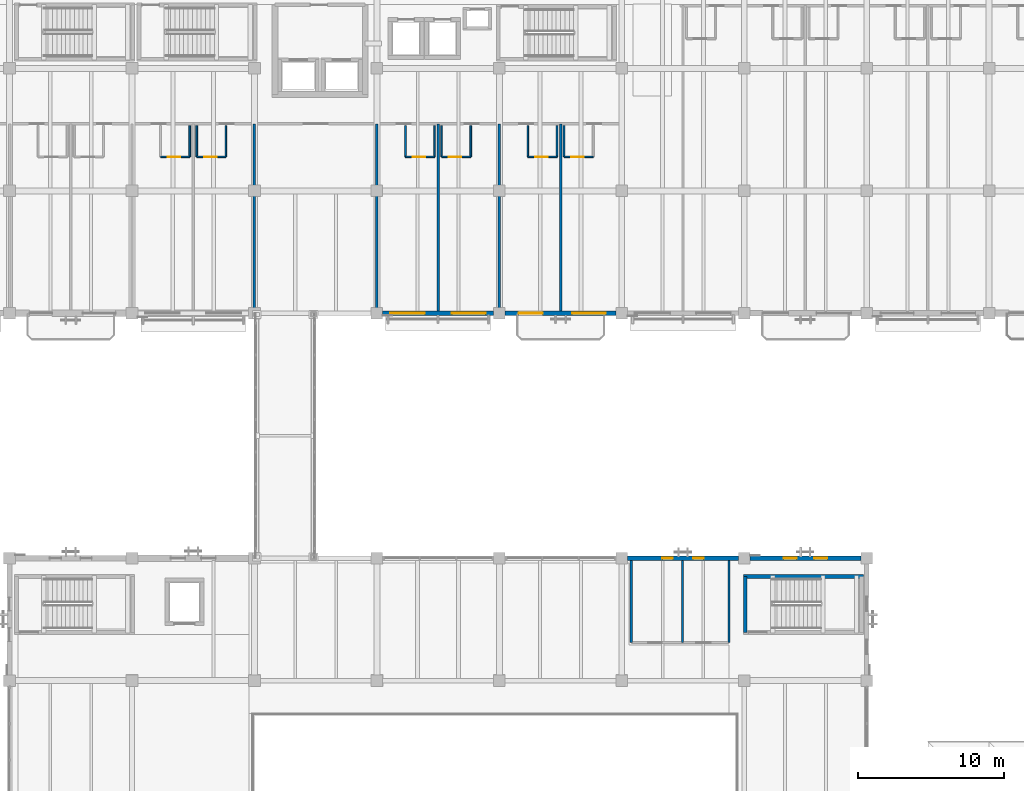
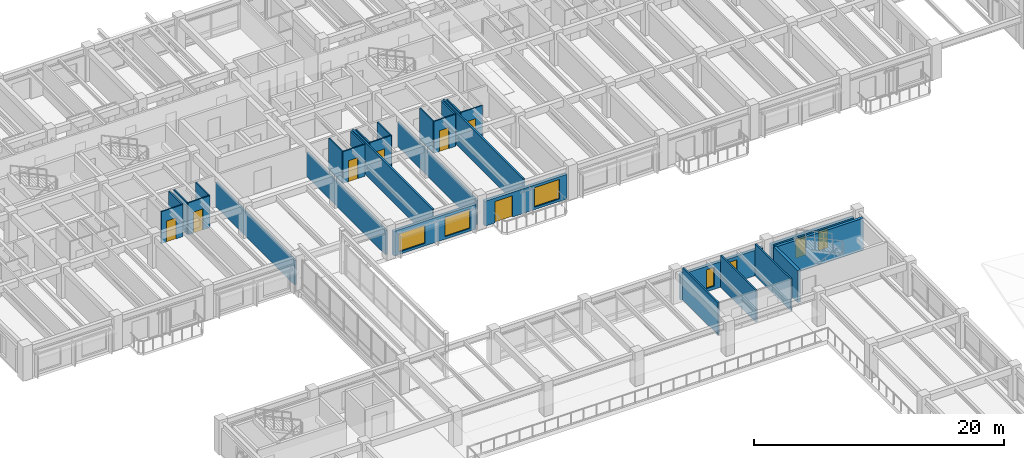
# One storey, part 84 of 123: 30 walls, 7 doors, 7 windows, 14 openings.
"""IFC4 building model written with IfcOpenShell, lengths in metres."""

from ifc_helpers import new_model, si_unit, direction, frame, frame_2d, origin, place, context, subcontext, project, spatial, rectangle, extrude, material, layer, layer_set, type_object, element, fill, save


model = new_model("IFC4")

# Units and contexts
model_context = context("Model", 3, precision=1e-05, world=origin(), true_north=direction((0.0, 1.0)))
body_context = subcontext(model_context, "Body", "Model", "MODEL_VIEW")
ifc_project = project(units=[si_unit("LENGTHUNIT", "METRE"), si_unit("AREAUNIT", "SQUARE_METRE"), si_unit("VOLUMEUNIT", "CUBIC_METRE"), si_unit("PLANEANGLEUNIT", "RADIAN"), si_unit("MASSUNIT", "GRAM", prefix="KILO")], contexts=[model_context])

# Site, building, storey
site_placement = place(None, origin())
site = spatial("IfcSite", under=ifc_project, at=site_placement, CompositionType="ELEMENT")
building_placement = place(site_placement, origin())
building = spatial("IfcBuilding", under=site, at=building_placement, Name="Cumbredor Promenade Congress Hotel", CompositionType="ELEMENT")
storey_placement = place(building_placement, frame((0.0, 0.0, 11.760009765625)))
storey = spatial("IfcBuildingStorey", under=building, at=storey_placement, Name="L03", CompositionType="ELEMENT", Elevation=11.760009765625)

# Wall, opening, door
ifc_material_1 = material(Name="Moisture-resistant gypsum board on steel studs", Category="steel")
ifc_layer_1 = layer(ifc_material_1, 0.114990234375, Name="Moisture-resistant gypsum board on steel studs", Category="steel")
ifc_layer_set_1 = layer_set([ifc_layer_1], Name="Moisture-resistant gypsum board on steel studs")
wall_type_1 = type_object("IfcWallType", Name="WL-BATH-115", PredefinedType="PARTITIONING", material=ifc_layer_set_1)
wall_1_placement = place(storey_placement, frame((18.760009765625, 94.72998046875, 0.0), z_axis=(0.0, 0.0, 1.0), x_axis=(1.0, 0.0, 0.0)))
wall_1 = element("IfcWall", 1, at=wall_1_placement, inside=storey, type_object=wall_type_1, Name="L03 Interior Partition W-L03-BH-0375", PredefinedType="PARTITIONING", context=body_context, shape_type="SweptSolid", body=[
    extrude(rectangle(XDim=2.0, YDim=0.114990234375, at=frame_2d((1.0, 0.0))), origin(), (0.0, 0.0, 1.0), 3.119873046875),
])
opening_1_placement = place(wall_1_placement, frame((0.5, 0.0, 0.0)))
opening_1 = element("IfcOpeningElement", 2, at=opening_1_placement, cuts=wall_1, Name="Opening ID-01", PredefinedType="OPENING", context=body_context, shape_type="SweptSolid", body=[
    extrude(rectangle(XDim=0.860107421875, YDim=2.050048828125, at=frame_2d((0.43017578125, 1.02490234375))), frame((0.0, 0.0673828125, 0.0), z_axis=(0.0, -1.0, 0.0), x_axis=(1.0, 0.0, 0.0)), (0.0, 0.0, 1.0), 0.135009765625),
])
ifc_material_2 = material(Name="Kiln-dried tropical hardwood", Category="wood")
door_type_1 = type_object("IfcDoorType", Name="DR-BATH-860", OperationType="NOTDEFINED", PredefinedType="DOOR", material=ifc_material_2)
door_1_placement = place(opening_1_placement, origin())
door_1 = element("IfcDoor", 3, at=door_1_placement, inside=storey, type_object=door_type_1, Name="L03 Interior Door W-L03-BH-0375-01", OperationType="SINGLE_SWING_LEFT", OverallHeight=2.050048828125, OverallWidth=0.860107421875, PredefinedType="DOOR", context=body_context, shape_type="SweptSolid", body=[
    extrude(rectangle(XDim=0.860107421875, YDim=2.050048828125, at=frame_2d((0.43017578125, 1.02490234375))), frame((0.0, 0.02490234375, 0.0), z_axis=(0.0, -1.0, 0.0), x_axis=(1.0, 0.0, 0.0)), (0.0, 0.0, 1.0), 0.050048828125),
])
fill(opening_1, door_1)

# Wall
wall_2_placement = place(storey_placement, frame((20.760009765625, 94.72998046875, 0.0), z_axis=(0.0, 0.0, 1.0), x_axis=(0.0, 1.0, 0.0)))
element("IfcWall", 4, at=wall_2_placement, inside=storey, type_object=wall_type_1, Name="L03 Interior Partition W-L03-BV2-0375", PredefinedType="PARTITIONING", context=body_context, shape_type="SweptSolid", body=[
    extrude(rectangle(XDim=2.14990234375, YDim=0.114990234375, at=frame_2d((1.074951171875, 0.0))), origin(), (0.0, 0.0, 1.0), 3.119873046875),
])

# Wall, opening, door
wall_3_placement = place(storey_placement, frame((21.239990234375, 94.72998046875, 0.0), z_axis=(0.0, 0.0, 1.0), x_axis=(1.0, 0.0, 0.0)))
wall_3 = element("IfcWall", 5, at=wall_3_placement, inside=storey, type_object=wall_type_1, Name="L03 Interior Partition W-L03-BH-0376", PredefinedType="PARTITIONING", context=body_context, shape_type="SweptSolid", body=[
    extrude(rectangle(XDim=2.0, YDim=0.114990234375, at=frame_2d((1.0, 0.0))), origin(), (0.0, 0.0, 1.0), 3.119873046875),
])
opening_2_placement = place(wall_3_placement, frame((0.5, 0.0, 0.0)))
opening_2 = element("IfcOpeningElement", 6, at=opening_2_placement, cuts=wall_3, Name="Opening ID-01", PredefinedType="OPENING", context=body_context, shape_type="SweptSolid", body=[
    extrude(rectangle(XDim=0.860107421875, YDim=2.050048828125, at=frame_2d((0.43017578125, 1.02490234375))), frame((0.0, 0.0673828125, 0.0), z_axis=(0.0, -1.0, 0.0), x_axis=(1.0, 0.0, 0.0)), (0.0, 0.0, 1.0), 0.135009765625),
])
door_2_placement = place(opening_2_placement, origin())
door_2 = element("IfcDoor", 7, at=door_2_placement, inside=storey, type_object=door_type_1, Name="L03 Interior Door W-L03-BH-0376-01", OperationType="SINGLE_SWING_RIGHT", OverallHeight=2.050048828125, OverallWidth=0.860107421875, PredefinedType="DOOR", context=body_context, shape_type="SweptSolid", body=[
    extrude(rectangle(XDim=0.860107421875, YDim=2.050048828125, at=frame_2d((0.43017578125, 1.02490234375))), frame((0.0, 0.02490234375, 0.0), z_axis=(0.0, -1.0, 0.0), x_axis=(1.0, 0.0, 0.0)), (0.0, 0.0, 1.0), 0.050048828125),
])
fill(opening_2, door_2)

# Walls
for number, where, z_axis, x_axis, name in (
    (8, (21.239990234375, 94.72998046875, 0.0), (0.0, 0.0, 1.0), (0.0, 1.0, 0.0), "L03 Interior Partition W-L03-BV1-0376"),
    (9, (23.239990234375, 94.72998046875, 0.0), (0.0, 0.0, 1.0), (0.0, 1.0, 0.0), "L03 Interior Partition W-L03-BV2-0376"),
):
    element("IfcWall", number, at=place(storey_placement, frame(where, z_axis=z_axis, x_axis=x_axis)), inside=storey, type_object=wall_type_1, Name=name, PredefinedType="PARTITIONING", context=body_context, shape_type="SweptSolid", body=[
        extrude(rectangle(XDim=2.14990234375, YDim=0.114990234375, at=frame_2d((1.074951171875, 0.0))), origin(), (0.0, 0.0, 1.0), 3.119873046875),
    ])

# Wall, opening, door
wall_4_placement = place(storey_placement, frame((35.56005859375, 94.72998046875, 0.0), z_axis=(0.0, 0.0, 1.0), x_axis=(1.0, 0.0, 0.0)))
wall_4 = element("IfcWall", 10, at=wall_4_placement, inside=storey, type_object=wall_type_1, Name="L03 Interior Partition W-L03-BH-0379", PredefinedType="PARTITIONING", context=body_context, shape_type="SweptSolid", body=[
    extrude(rectangle(XDim=2.0, YDim=0.114990234375, at=frame_2d((1.0, 0.0))), origin(), (0.0, 0.0, 1.0), 3.119873046875),
])
opening_3_placement = place(wall_4_placement, frame((0.5, 0.0, 0.0)))
opening_3 = element("IfcOpeningElement", 11, at=opening_3_placement, cuts=wall_4, Name="Opening ID-01", PredefinedType="OPENING", context=body_context, shape_type="SweptSolid", body=[
    extrude(rectangle(XDim=0.860107421875, YDim=2.050048828125, at=frame_2d((0.43017578125, 1.02490234375))), frame((0.0, 0.0673828125, 0.0), z_axis=(0.0, -1.0, 0.0), x_axis=(1.0, 0.0, 0.0)), (0.0, 0.0, 1.0), 0.135009765625),
])
door_3_placement = place(opening_3_placement, origin())
door_3 = element("IfcDoor", 12, at=door_3_placement, inside=storey, type_object=door_type_1, Name="L03 Interior Door W-L03-BH-0379-01", OperationType="SINGLE_SWING_LEFT", OverallHeight=2.050048828125, OverallWidth=0.860107421875, PredefinedType="DOOR", context=body_context, shape_type="SweptSolid", body=[
    extrude(rectangle(XDim=0.860107421875, YDim=2.050048828125, at=frame_2d((0.43017578125, 1.02490234375))), frame((0.0, 0.02490234375, 0.0), z_axis=(0.0, -1.0, 0.0), x_axis=(1.0, 0.0, 0.0)), (0.0, 0.0, 1.0), 0.050048828125),
])
fill(opening_3, door_3)

# Walls
for number, where, z_axis, x_axis, name in (
    (13, (35.56005859375, 94.72998046875, 0.0), (0.0, 0.0, 1.0), (0.0, 1.0, 0.0), "L03 Interior Partition W-L03-BV1-0379"),
    (14, (37.56005859375, 94.72998046875, 0.0), (0.0, 0.0, 1.0), (0.0, 1.0, 0.0), "L03 Interior Partition W-L03-BV2-0379"),
):
    element("IfcWall", number, at=place(storey_placement, frame(where, z_axis=z_axis, x_axis=x_axis)), inside=storey, type_object=wall_type_1, Name=name, PredefinedType="PARTITIONING", context=body_context, shape_type="SweptSolid", body=[
        extrude(rectangle(XDim=2.14990234375, YDim=0.114990234375, at=frame_2d((1.074951171875, 0.0))), origin(), (0.0, 0.0, 1.0), 3.119873046875),
    ])

# Wall, opening, door
wall_5_placement = place(storey_placement, frame((38.0400390625, 94.72998046875, 0.0), z_axis=(0.0, 0.0, 1.0), x_axis=(1.0, 0.0, 0.0)))
wall_5 = element("IfcWall", 15, at=wall_5_placement, inside=storey, type_object=wall_type_1, Name="L03 Interior Partition W-L03-BH-03710", PredefinedType="PARTITIONING", context=body_context, shape_type="SweptSolid", body=[
    extrude(rectangle(XDim=2.0, YDim=0.114990234375, at=frame_2d((1.0, 0.0))), origin(), (0.0, 0.0, 1.0), 3.119873046875),
])
opening_4_placement = place(wall_5_placement, frame((0.5, 0.0, 0.0)))
opening_4 = element("IfcOpeningElement", 16, at=opening_4_placement, cuts=wall_5, Name="Opening ID-01", PredefinedType="OPENING", context=body_context, shape_type="SweptSolid", body=[
    extrude(rectangle(XDim=0.860107421875, YDim=2.050048828125, at=frame_2d((0.43017578125, 1.02490234375))), frame((0.0, 0.0673828125, 0.0), z_axis=(0.0, -1.0, 0.0), x_axis=(1.0, 0.0, 0.0)), (0.0, 0.0, 1.0), 0.135009765625),
])
door_4_placement = place(opening_4_placement, origin())
door_4 = element("IfcDoor", 17, at=door_4_placement, inside=storey, type_object=door_type_1, Name="L03 Interior Door W-L03-BH-03710-01", OperationType="SINGLE_SWING_RIGHT", OverallHeight=2.050048828125, OverallWidth=0.860107421875, PredefinedType="DOOR", context=body_context, shape_type="SweptSolid", body=[
    extrude(rectangle(XDim=0.860107421875, YDim=2.050048828125, at=frame_2d((0.43017578125, 1.02490234375))), frame((0.0, 0.02490234375, 0.0), z_axis=(0.0, -1.0, 0.0), x_axis=(1.0, 0.0, 0.0)), (0.0, 0.0, 1.0), 0.050048828125),
])
fill(opening_4, door_4)

# Walls
for number, where, z_axis, x_axis, name in (
    (18, (38.0400390625, 94.72998046875, 0.0), (0.0, 0.0, 1.0), (0.0, 1.0, 0.0), "L03 Interior Partition W-L03-BV1-03710"),
    (19, (40.0400390625, 94.72998046875, 0.0), (0.0, 0.0, 1.0), (0.0, 1.0, 0.0), "L03 Interior Partition W-L03-BV2-03710"),
):
    element("IfcWall", number, at=place(storey_placement, frame(where, z_axis=z_axis, x_axis=x_axis)), inside=storey, type_object=wall_type_1, Name=name, PredefinedType="PARTITIONING", context=body_context, shape_type="SweptSolid", body=[
        extrude(rectangle(XDim=2.14990234375, YDim=0.114990234375, at=frame_2d((1.074951171875, 0.0))), origin(), (0.0, 0.0, 1.0), 3.119873046875),
    ])

# Wall, opening, door
wall_6_placement = place(storey_placement, frame((43.9599609375, 94.72998046875, 0.0), z_axis=(0.0, 0.0, 1.0), x_axis=(1.0, 0.0, 0.0)))
wall_6 = element("IfcWall", 20, at=wall_6_placement, inside=storey, type_object=wall_type_1, Name="L03 Interior Partition W-L03-BH-03711", PredefinedType="PARTITIONING", context=body_context, shape_type="SweptSolid", body=[
    extrude(rectangle(XDim=2.0, YDim=0.114990234375, at=frame_2d((1.0, 0.0))), origin(), (0.0, 0.0, 1.0), 3.119873046875),
])
opening_5_placement = place(wall_6_placement, frame((0.5, 0.0, 0.0)))
opening_5 = element("IfcOpeningElement", 21, at=opening_5_placement, cuts=wall_6, Name="Opening ID-01", PredefinedType="OPENING", context=body_context, shape_type="SweptSolid", body=[
    extrude(rectangle(XDim=0.860107421875, YDim=2.050048828125, at=frame_2d((0.43017578125, 1.02490234375))), frame((0.0, 0.0673828125, 0.0), z_axis=(0.0, -1.0, 0.0), x_axis=(1.0, 0.0, 0.0)), (0.0, 0.0, 1.0), 0.135009765625),
])
door_5_placement = place(opening_5_placement, origin())
door_5 = element("IfcDoor", 22, at=door_5_placement, inside=storey, type_object=door_type_1, Name="L03 Interior Door W-L03-BH-03711-01", OperationType="SINGLE_SWING_LEFT", OverallHeight=2.050048828125, OverallWidth=0.860107421875, PredefinedType="DOOR", context=body_context, shape_type="SweptSolid", body=[
    extrude(rectangle(XDim=0.860107421875, YDim=2.050048828125, at=frame_2d((0.43017578125, 1.02490234375))), frame((0.0, 0.02490234375, 0.0), z_axis=(0.0, -1.0, 0.0), x_axis=(1.0, 0.0, 0.0)), (0.0, 0.0, 1.0), 0.050048828125),
])
fill(opening_5, door_5)

# Walls
for number, where, z_axis, x_axis, name in (
    (23, (43.9599609375, 94.72998046875, 0.0), (0.0, 0.0, 1.0), (0.0, 1.0, 0.0), "L03 Interior Partition W-L03-BV1-03711"),
    (24, (45.9599609375, 94.72998046875, 0.0), (0.0, 0.0, 1.0), (0.0, 1.0, 0.0), "L03 Interior Partition W-L03-BV2-03711"),
):
    element("IfcWall", number, at=place(storey_placement, frame(where, z_axis=z_axis, x_axis=x_axis)), inside=storey, type_object=wall_type_1, Name=name, PredefinedType="PARTITIONING", context=body_context, shape_type="SweptSolid", body=[
        extrude(rectangle(XDim=2.14990234375, YDim=0.114990234375, at=frame_2d((1.074951171875, 0.0))), origin(), (0.0, 0.0, 1.0), 3.119873046875),
    ])

# Wall, opening, door
wall_7_placement = place(storey_placement, frame((46.43994140625, 94.72998046875, 0.0), z_axis=(0.0, 0.0, 1.0), x_axis=(1.0, 0.0, 0.0)))
wall_7 = element("IfcWall", 25, at=wall_7_placement, inside=storey, type_object=wall_type_1, Name="L03 Interior Partition W-L03-BH-03712", PredefinedType="PARTITIONING", context=body_context, shape_type="SweptSolid", body=[
    extrude(rectangle(XDim=2.0, YDim=0.114990234375, at=frame_2d((1.0, 0.0))), origin(), (0.0, 0.0, 1.0), 3.119873046875),
])
opening_6_placement = place(wall_7_placement, frame((0.5, 0.0, 0.0)))
opening_6 = element("IfcOpeningElement", 26, at=opening_6_placement, cuts=wall_7, Name="Opening ID-01", PredefinedType="OPENING", context=body_context, shape_type="SweptSolid", body=[
    extrude(rectangle(XDim=0.860107421875, YDim=2.050048828125, at=frame_2d((0.43017578125, 1.02490234375))), frame((0.0, 0.0673828125, 0.0), z_axis=(0.0, -1.0, 0.0), x_axis=(1.0, 0.0, 0.0)), (0.0, 0.0, 1.0), 0.135009765625),
])
door_6_placement = place(opening_6_placement, origin())
door_6 = element("IfcDoor", 27, at=door_6_placement, inside=storey, type_object=door_type_1, Name="L03 Interior Door W-L03-BH-03712-01", OperationType="SINGLE_SWING_RIGHT", OverallHeight=2.050048828125, OverallWidth=0.860107421875, PredefinedType="DOOR", context=body_context, shape_type="SweptSolid", body=[
    extrude(rectangle(XDim=0.860107421875, YDim=2.050048828125, at=frame_2d((0.43017578125, 1.02490234375))), frame((0.0, 0.02490234375, 0.0), z_axis=(0.0, -1.0, 0.0), x_axis=(1.0, 0.0, 0.0)), (0.0, 0.0, 1.0), 0.050048828125),
])
fill(opening_6, door_6)

# Wall
wall_8_placement = place(storey_placement, frame((46.43994140625, 94.72998046875, 0.0), z_axis=(0.0, 0.0, 1.0), x_axis=(0.0, 1.0, 0.0)))
element("IfcWall", 28, at=wall_8_placement, inside=storey, type_object=wall_type_1, Name="L03 Interior Partition W-L03-BV1-03712", PredefinedType="PARTITIONING", context=body_context, shape_type="SweptSolid", body=[
    extrude(rectangle(XDim=2.14990234375, YDim=0.114990234375, at=frame_2d((1.074951171875, 0.0))), origin(), (0.0, 0.0, 1.0), 3.119873046875),
])

# Wall, openings, windows
ifc_material_3 = material(Name="Concrete C40/50", Category="concrete")
ifc_layer_2 = layer(ifc_material_3, 0.280029296875, Name="Concrete C40/50", Category="concrete")
ifc_layer_set_2 = layer_set([ifc_layer_2], Name="Concrete C40/50")
wall_type_2 = type_object("IfcWallType", Name="WL-EXT-280", PredefinedType="SOLIDWALL", material=ifc_layer_set_2)
wall_9_placement = place(storey_placement, frame((34.0009765625, 84.0, 0.0), z_axis=(0.0, 0.0, 1.0), x_axis=(1.0, 0.0, 0.0)))
wall_9 = element("IfcWall", 29, at=wall_9_placement, inside=storey, type_object=wall_type_2, Name="L03 Stepped Congress Hotel Wing South Envelope Wall 5", PredefinedType="SOLIDWALL", context=body_context, shape_type="SweptSolid", body=[
    extrude(rectangle(XDim=7.59814453125, YDim=0.280029296875, at=frame_2d((3.799072265625, 0.0))), origin(), (0.0, 0.0, 1.0), 2.4140625),
])
opening_7_placement = place(wall_9_placement, frame((0.4990234375, 0.0, 0.25)))
opening_7 = element("IfcOpeningElement", 30, at=opening_7_placement, cuts=wall_9, Name="Opening WN-26", PredefinedType="OPENING", context=body_context, shape_type="SweptSolid", body=[
    extrude(rectangle(XDim=2.39990234375, YDim=1.75, at=frame_2d((1.199951171875, 0.875))), frame((0.0, 0.14990234375, 0.0), z_axis=(0.0, -1.0, 0.0), x_axis=(1.0, 0.0, 0.0)), (0.0, 0.0, 1.0), 0.300048828125),
])
opening_8_placement = place(wall_9_placement, frame((4.739013671875, 0.0, 0.25)))
opening_8 = element("IfcOpeningElement", 31, at=opening_8_placement, cuts=wall_9, Name="Opening WN-36", PredefinedType="OPENING", context=body_context, shape_type="SweptSolid", body=[
    extrude(rectangle(XDim=2.320068359375, YDim=1.89990234375, at=frame_2d((1.16015625, 0.949951171875))), frame((0.0, 0.14990234375, 0.0), z_axis=(0.0, -1.0, 0.0), x_axis=(1.0, 0.0, 0.0)), (0.0, 0.0, 1.0), 0.300048828125),
])
ifc_material_4 = material(Name="Thermally broken anodized aluminium and low-E glass", Category="aluminium")
window_type_1 = type_object("IfcWindowType", Name="Hospitality Floor-to-Ceiling Window WN-26 2400x1750", PartitioningType="DOUBLE_PANEL_VERTICAL", PredefinedType="WINDOW", material=ifc_material_4)
window_1_placement = place(opening_7_placement, origin())
window_1 = element("IfcWindow", 32, at=window_1_placement, inside=storey, type_object=window_type_1, Name="L03 Wide Hospitality Window 0407", OverallHeight=1.75, OverallWidth=2.39990234375, PartitioningType="DOUBLE_PANEL_VERTICAL", PredefinedType="WINDOW", context=body_context, shape_type="SweptSolid", body=[
    extrude(rectangle(XDim=2.39990234375, YDim=1.75, at=frame_2d((1.199951171875, 0.875))), frame((0.0, 0.030029296875, 0.0), z_axis=(0.0, -1.0, 0.0), x_axis=(1.0, 0.0, 0.0)), (0.0, 0.0, 1.0), 0.06005859375),
])
fill(opening_7, window_1)
window_type_2 = type_object("IfcWindowType", Name="Hospitality Floor-to-Ceiling Window WN-36 2320x1900", PartitioningType="DOUBLE_PANEL_VERTICAL", PredefinedType="WINDOW", material=ifc_material_4)
window_2_placement = place(opening_8_placement, origin())
window_2 = element("IfcWindow", 33, at=window_2_placement, inside=storey, type_object=window_type_2, Name="L03 Wide Hospitality Window 0408", OverallHeight=1.89990234375, OverallWidth=2.320068359375, PartitioningType="DOUBLE_PANEL_VERTICAL", PredefinedType="WINDOW", context=body_context, shape_type="SweptSolid", body=[
    extrude(rectangle(XDim=2.320068359375, YDim=1.89990234375, at=frame_2d((1.16015625, 0.949951171875))), frame((0.0, 0.030029296875, 0.0), z_axis=(0.0, -1.0, 0.0), x_axis=(1.0, 0.0, 0.0)), (0.0, 0.0, 1.0), 0.06005859375),
])
fill(opening_8, window_2)

ifc_layer_3 = layer(ifc_material_3, 0.300048828125, Name="Concrete C40/50", Category="concrete")
ifc_layer_set_3 = layer_set([ifc_layer_3], Name="Concrete C40/50")
wall_type_3 = type_object("IfcWallType", Name="WL-EXT-300", PredefinedType="SOLIDWALL", material=ifc_layer_set_3)
wall_10_placement = place(storey_placement, frame((50.801025390625, 67.199951171875, 0.0), z_axis=(0.0, 0.0, 1.0), x_axis=(1.0, 0.0, 0.0)))
wall_10 = element("IfcWall", 34, at=wall_10_placement, inside=storey, type_object=wall_type_3, Name="L03 Plenary Congress Hall North Envelope Wall 6", PredefinedType="SOLIDWALL", context=body_context, shape_type="SweptSolid", body=[
    extrude(rectangle(XDim=7.597900390625, YDim=0.300048828125, at=frame_2d((3.798828125, 0.0))), origin(), (0.0, 0.0, 1.0), 2.493896484375),
])
opening_9_placement = place(wall_10_placement, frame((2.388916015625, 0.0, 0.300048828125)))
opening_9 = element("IfcOpeningElement", 35, at=opening_9_placement, cuts=wall_10, Name="Opening WN-45", PredefinedType="OPENING", context=body_context, shape_type="SweptSolid", body=[
    extrude(rectangle(XDim=0.719970703125, YDim=1.85009765625, at=frame_2d((0.35986328125, 0.925048828125))), frame((0.0, 0.16015625, 0.0), z_axis=(0.0, -1.0, 0.0), x_axis=(1.0, 0.0, 0.0)), (0.0, 0.0, 1.0), 0.320068359375),
])
opening_10_placement = place(wall_10_placement, frame((4.489013671875, 0.0, 0.300048828125)))
opening_10 = element("IfcOpeningElement", 36, at=opening_10_placement, cuts=wall_10, Name="Opening WN-45", PredefinedType="OPENING", context=body_context, shape_type="SweptSolid", body=[
    extrude(rectangle(XDim=0.719970703125, YDim=1.85009765625, at=frame_2d((0.35986328125, 0.925048828125))), frame((0.0, 0.16015625, 0.0), z_axis=(0.0, -1.0, 0.0), x_axis=(1.0, 0.0, 0.0)), (0.0, 0.0, 1.0), 0.320068359375),
])
window_type_3 = type_object("IfcWindowType", Name="Vertical Slot Window WN-45 720x1850", PartitioningType="SINGLE_PANEL", PredefinedType="WINDOW", material=ifc_material_4)
window_3_placement = place(opening_9_placement, origin())
window_3 = element("IfcWindow", 37, at=window_3_placement, inside=storey, type_object=window_type_3, Name="L03 Vertical Slot Window 0350", OverallHeight=1.85009765625, OverallWidth=0.719970703125, PartitioningType="SINGLE_PANEL", PredefinedType="WINDOW", context=body_context, shape_type="SweptSolid", body=[
    extrude(rectangle(XDim=0.719970703125, YDim=1.85009765625, at=frame_2d((0.35986328125, 0.925048828125))), frame((0.0, 0.030029296875, 0.0), z_axis=(0.0, -1.0, 0.0), x_axis=(1.0, 0.0, 0.0)), (0.0, 0.0, 1.0), 0.06005859375),
])
fill(opening_9, window_3)
window_4_placement = place(opening_10_placement, origin())
window_4 = element("IfcWindow", 38, at=window_4_placement, inside=storey, type_object=window_type_3, Name="L03 Vertical Slot Window 0351", OverallHeight=1.85009765625, OverallWidth=0.719970703125, PartitioningType="SINGLE_PANEL", PredefinedType="WINDOW", context=body_context, shape_type="SweptSolid", body=[
    extrude(rectangle(XDim=0.719970703125, YDim=1.85009765625, at=frame_2d((0.35986328125, 0.925048828125))), frame((0.0, 0.030029296875, 0.0), z_axis=(0.0, -1.0, 0.0), x_axis=(1.0, 0.0, 0.0)), (0.0, 0.0, 1.0), 0.06005859375),
])
fill(opening_10, window_4)

# Wall, openings, door, window
wall_11_placement = place(storey_placement, frame((42.40087890625, 84.0, 0.0), z_axis=(0.0, 0.0, 1.0), x_axis=(1.0, 0.0, 0.0)))
wall_11 = element("IfcWall", 39, at=wall_11_placement, inside=storey, type_object=wall_type_3, Name="L03 Stepped Congress Hotel Wing South Envelope Wall 6", PredefinedType="SOLIDWALL", context=body_context, shape_type="SweptSolid", body=[
    extrude(rectangle(XDim=7.59814453125, YDim=0.300048828125, at=frame_2d((3.799072265625, 0.0))), origin(), (0.0, 0.0, 1.0), 2.4140625),
])
opening_11_placement = place(wall_11_placement, frame((0.924072265625, 0.0, 0.0)))
opening_11 = element("IfcOpeningElement", 40, at=opening_11_placement, cuts=wall_11, Name="Opening TD-02", PredefinedType="OPENING", context=body_context, shape_type="SweptSolid", body=[
    extrude(rectangle(XDim=1.64990234375, YDim=2.080078125, at=frame_2d((0.824951171875, 1.0400390625))), frame((0.0, 0.16015625, 0.0), z_axis=(0.0, -1.0, 0.0), x_axis=(1.0, 0.0, 0.0)), (0.0, 0.0, 1.0), 0.320068359375),
])
opening_12_placement = place(wall_11_placement, frame((4.589111328125, 0.0, 0.25)))
opening_12 = element("IfcOpeningElement", 41, at=opening_12_placement, cuts=wall_11, Name="Opening WN-36", PredefinedType="OPENING", context=body_context, shape_type="SweptSolid", body=[
    extrude(rectangle(XDim=2.320068359375, YDim=1.89990234375, at=frame_2d((1.16015625, 0.949951171875))), frame((0.0, 0.16015625, 0.0), z_axis=(0.0, -1.0, 0.0), x_axis=(1.0, 0.0, 0.0)), (0.0, 0.0, 1.0), 0.320068359375),
])
ifc_material_5 = material(Name="Thermally broken anodized aluminium and laminated safety glass", Category="aluminium")
door_type_2 = type_object("IfcDoorType", Name="EXT-DR-TER-1650x2080", OperationType="DOUBLE_DOOR_SINGLE_SWING", PredefinedType="DOOR", material=ifc_material_5)
door_7_placement = place(opening_11_placement, frame((1.64990234375, 0.0, 0.0), z_axis=(0.0, 0.0, 1.0), x_axis=(-1.0, 0.0, 0.0)))
door_7 = element("IfcDoor", 42, at=door_7_placement, inside=storey, type_object=door_type_2, Name="L03 Guestroom Veranda Balcony Door 043", OperationType="DOUBLE_DOOR_SINGLE_SWING", OverallHeight=2.080078125, OverallWidth=1.64990234375, PredefinedType="DOOR", context=body_context, shape_type="SweptSolid", body=[
    extrude(rectangle(XDim=1.64990234375, YDim=2.080078125, at=frame_2d((0.824951171875, 1.0400390625))), frame((0.0, 0.02490234375, 0.0), z_axis=(0.0, -1.0, 0.0), x_axis=(1.0, 0.0, 0.0)), (0.0, 0.0, 1.0), 0.050048828125),
])
fill(opening_11, door_7)
window_5_placement = place(opening_12_placement, origin())
window_5 = element("IfcWindow", 43, at=window_5_placement, inside=storey, type_object=window_type_2, Name="L03 Veranda Companion Floor-to-Ceiling Window 0409", OverallHeight=1.89990234375, OverallWidth=2.320068359375, PartitioningType="DOUBLE_PANEL_VERTICAL", PredefinedType="WINDOW", context=body_context, shape_type="SweptSolid", body=[
    extrude(rectangle(XDim=2.320068359375, YDim=1.89990234375, at=frame_2d((1.16015625, 0.949951171875))), frame((0.0, 0.030029296875, 0.0), z_axis=(0.0, -1.0, 0.0), x_axis=(1.0, 0.0, 0.0)), (0.0, 0.0, 1.0), 0.06005859375),
])
fill(opening_12, window_5)

# Wall, openings, windows
ifc_layer_4 = layer(ifc_material_3, 0.324951171875, Name="Concrete C40/50", Category="concrete")
ifc_layer_set_4 = layer_set([ifc_layer_4], Name="Concrete C40/50")
wall_type_4 = type_object("IfcWallType", Name="WL-EXT-325", PredefinedType="SOLIDWALL", material=ifc_layer_set_4)
wall_12_placement = place(storey_placement, frame((59.200927734375, 67.199951171875, 0.0), z_axis=(0.0, 0.0, 1.0), x_axis=(1.0, 0.0, 0.0)))
wall_12 = element("IfcWall", 44, at=wall_12_placement, inside=storey, type_object=wall_type_4, Name="L03 Plenary Congress Hall North Envelope Wall 7", PredefinedType="SOLIDWALL", context=body_context, shape_type="SweptSolid", body=[
    extrude(rectangle(XDim=7.59814453125, YDim=0.324951171875, at=frame_2d((3.799072265625, 0.0))), origin(), (0.0, 0.0, 1.0), 2.493896484375),
])
opening_13_placement = place(wall_12_placement, frame((2.299072265625, 0.0, 0.300048828125)))
opening_13 = element("IfcOpeningElement", 45, at=opening_13_placement, cuts=wall_12, Name="Opening WN-48", PredefinedType="OPENING", context=body_context, shape_type="SweptSolid", body=[
    extrude(rectangle(XDim=0.89990234375, YDim=1.85009765625, at=frame_2d((0.449951171875, 0.925048828125))), frame((0.0, 0.17236328125, 0.0), z_axis=(0.0, -1.0, 0.0), x_axis=(1.0, 0.0, 0.0)), (0.0, 0.0, 1.0), 0.344970703125),
])
opening_14_placement = place(wall_12_placement, frame((4.39892578125, 0.0, 0.300048828125)))
opening_14 = element("IfcOpeningElement", 46, at=opening_14_placement, cuts=wall_12, Name="Opening WN-48", PredefinedType="OPENING", context=body_context, shape_type="SweptSolid", body=[
    extrude(rectangle(XDim=0.89990234375, YDim=1.85009765625, at=frame_2d((0.449951171875, 0.925048828125))), frame((0.0, 0.17236328125, 0.0), z_axis=(0.0, -1.0, 0.0), x_axis=(1.0, 0.0, 0.0)), (0.0, 0.0, 1.0), 0.344970703125),
])
window_type_4 = type_object("IfcWindowType", Name="Vertical Slot Window WN-48 900x1850", PartitioningType="SINGLE_PANEL", PredefinedType="WINDOW", material=ifc_material_4)
window_6_placement = place(opening_13_placement, origin())
window_6 = element("IfcWindow", 47, at=window_6_placement, inside=storey, type_object=window_type_4, Name="L03 Vertical Slot Window 0352", OverallHeight=1.85009765625, OverallWidth=0.89990234375, PartitioningType="SINGLE_PANEL", PredefinedType="WINDOW", context=body_context, shape_type="SweptSolid", body=[
    extrude(rectangle(XDim=0.89990234375, YDim=1.85009765625, at=frame_2d((0.449951171875, 0.925048828125))), frame((0.0, 0.030029296875, 0.0), z_axis=(0.0, -1.0, 0.0), x_axis=(1.0, 0.0, 0.0)), (0.0, 0.0, 1.0), 0.06005859375),
])
fill(opening_13, window_6)
window_7_placement = place(opening_14_placement, origin())
window_7 = element("IfcWindow", 48, at=window_7_placement, inside=storey, type_object=window_type_4, Name="L03 Vertical Slot Window 0353", OverallHeight=1.85009765625, OverallWidth=0.89990234375, PartitioningType="SINGLE_PANEL", PredefinedType="WINDOW", context=body_context, shape_type="SweptSolid", body=[
    extrude(rectangle(XDim=0.89990234375, YDim=1.85009765625, at=frame_2d((0.449951171875, 0.925048828125))), frame((0.0, 0.030029296875, 0.0), z_axis=(0.0, -1.0, 0.0), x_axis=(1.0, 0.0, 0.0)), (0.0, 0.0, 1.0), 0.06005859375),
])
fill(opening_14, window_7)

# Walls
ifc_material_6 = material(Name="Acoustic gypsum partition on steel studs", Category="steel")
ifc_layer_5 = layer(ifc_material_6, 0.139892578125, Name="Acoustic gypsum partition on steel studs", Category="steel")
ifc_layer_set_5 = layer_set([ifc_layer_5], Name="Acoustic gypsum partition on steel studs")
wall_type_5 = type_object("IfcWallType", Name="WL-PART-140", PredefinedType="PARTITIONING", material=ifc_layer_set_5)
for number, where, z_axis, x_axis, name in (
    (49, (51.050048828125, 61.39990234375, 0.0), (0.0, 0.0, 1.0), (0.0, 1.0, 0.0), "L03 Interior Partition W-L03-V1-WC-W"),
    (50, (54.550048828125, 61.39990234375, 0.0), (0.0, 0.0, 1.0), (0.0, 1.0, 0.0), "L03 Interior Partition W-L03-V1-WC-M"),
    (51, (57.75, 61.39990234375, 0.0), (0.0, 0.0, 1.0), (0.0, 1.0, 0.0), "L03 Interior Partition W-L03-V1-WC-E"),
):
    element("IfcWall", number, at=place(storey_placement, frame(where, z_axis=z_axis, x_axis=x_axis)), inside=storey, type_object=wall_type_5, Name=name, PredefinedType="PARTITIONING", context=body_context, shape_type="SweptSolid", body=[
        extrude(rectangle(XDim=5.650146484375, YDim=0.139892578125, at=frame_2d((2.8251953125, 0.0))), origin(), (0.0, 0.0, 1.0), 3.119873046875),
    ])
ifc_layer_6 = layer(ifc_material_3, 0.2548828125, Name="Concrete C40/50", Category="concrete")
ifc_layer_set_6 = layer_set([ifc_layer_6], Name="Concrete C40/50")
wall_type_6 = type_object("IfcWallType", Name="WL-SHAFT-250", PredefinedType="SOLIDWALL", material=ifc_layer_set_6)
wall_13_placement = place(storey_placement, frame((58.75244140625, 65.949951171875, 0.0), z_axis=(0.0, 0.0, 1.0), x_axis=(1.0, 0.0, 0.0)))
element("IfcWall", 52, at=wall_13_placement, inside=storey, type_object=wall_type_6, Name="STAIR-ST-07-L03 Shaft Wall North", PredefinedType="SOLIDWALL", context=body_context, shape_type="SweptSolid", body=[
    extrude(rectangle(XDim=8.22509765625, YDim=0.2548828125, at=frame_2d((4.112548828125, 0.0))), origin(), (0.0, 0.0, 1.0), 3.119873046875),
])
wall_14_placement = place(storey_placement, frame((58.8798828125, 62.10009765625, 0.0), z_axis=(0.0, 0.0, 1.0), x_axis=(0.0, 1.0, 0.0)))
element("IfcWall", 53, at=wall_14_placement, inside=storey, type_object=wall_type_6, Name="STAIR-ST-07-L03 Shaft Wall West", PredefinedType="SOLIDWALL", context=body_context, shape_type="SweptSolid", body=[
    extrude(rectangle(XDim=3.849853515625, YDim=0.2548828125, at=frame_2d((1.9248046875, 0.0))), origin(), (0.0, 0.0, 1.0), 3.119873046875),
])
ifc_material_7 = material(Name="Fire-rated acoustic double-stud partition")
ifc_layer_7 = layer(ifc_material_7, 0.1650390625, Name="Fire-rated acoustic double-stud partition")
ifc_layer_set_7 = layer_set([ifc_layer_7], Name="Fire-rated acoustic double-stud partition")
wall_type_7 = type_object("IfcWallType", Name="WL-UNIT-165", PredefinedType="PARTITIONING", material=ifc_layer_set_7)
wall_15_placement = place(storey_placement, frame((25.199951171875, 84.35009765625, 0.0), z_axis=(0.0, 0.0, 1.0), x_axis=(0.0, 1.0, 0.0)))
element("IfcWall", 54, at=wall_15_placement, inside=storey, type_object=wall_type_7, Name="L03 Interior Partition W-L03-SC-DIV-3-G", PredefinedType="PARTITIONING", context=body_context, shape_type="SweptSolid", body=[
    extrude(rectangle(XDim=12.64990234375, YDim=0.1650390625, at=frame_2d((6.324951171875, 0.0))), origin(), (0.0, 0.0, 1.0), 2.375),
])
wall_16_placement = place(storey_placement, frame((37.800048828125, 84.139892578125, 0.0), z_axis=(0.0, 0.0, 1.0), x_axis=(0.0, 1.0, 0.0)))
element("IfcWall", 55, at=wall_16_placement, inside=storey, type_object=wall_type_7, Name="L03 Interior Partition W-L03-SC-DIV-4-M", PredefinedType="PARTITIONING", context=body_context, shape_type="SweptSolid", body=[
    extrude(rectangle(XDim=12.860107421875, YDim=0.1650390625, at=frame_2d((6.43017578125, 0.0))), origin(), (0.0, 0.0, 1.0), 3.119873046875),
])
wall_17_placement = place(storey_placement, frame((33.60009765625, 84.35009765625, 0.0), z_axis=(0.0, 0.0, 1.0), x_axis=(0.0, 1.0, 0.0)))
element("IfcWall", 56, at=wall_17_placement, inside=storey, type_object=wall_type_7, Name="L03 Interior Partition W-L03-SC-DIV-4-G", PredefinedType="PARTITIONING", context=body_context, shape_type="SweptSolid", body=[
    extrude(rectangle(XDim=12.64990234375, YDim=0.1650390625, at=frame_2d((6.324951171875, 0.0))), origin(), (0.0, 0.0, 1.0), 2.375),
])
wall_18_placement = place(storey_placement, frame((46.199951171875, 84.14990234375, 0.0), z_axis=(0.0, 0.0, 1.0), x_axis=(0.0, 1.0, 0.0)))
element("IfcWall", 57, at=wall_18_placement, inside=storey, type_object=wall_type_7, Name="L03 Interior Partition W-L03-SC-DIV-5-M", PredefinedType="PARTITIONING", context=body_context, shape_type="SweptSolid", body=[
    extrude(rectangle(XDim=12.85009765625, YDim=0.1650390625, at=frame_2d((6.425048828125, 0.0))), origin(), (0.0, 0.0, 1.0), 3.119873046875),
])
wall_19_placement = place(storey_placement, frame((42.0, 84.35009765625, 0.0), z_axis=(0.0, 0.0, 1.0), x_axis=(0.0, 1.0, 0.0)))
element("IfcWall", 58, at=wall_19_placement, inside=storey, type_object=wall_type_7, Name="L03 Interior Partition W-L03-SC-DIV-5-G", PredefinedType="PARTITIONING", context=body_context, shape_type="SweptSolid", body=[
    extrude(rectangle(XDim=12.64990234375, YDim=0.1650390625, at=frame_2d((6.324951171875, 0.0))), origin(), (0.0, 0.0, 1.0), 2.375),
])

save(model, "model.ifc")
